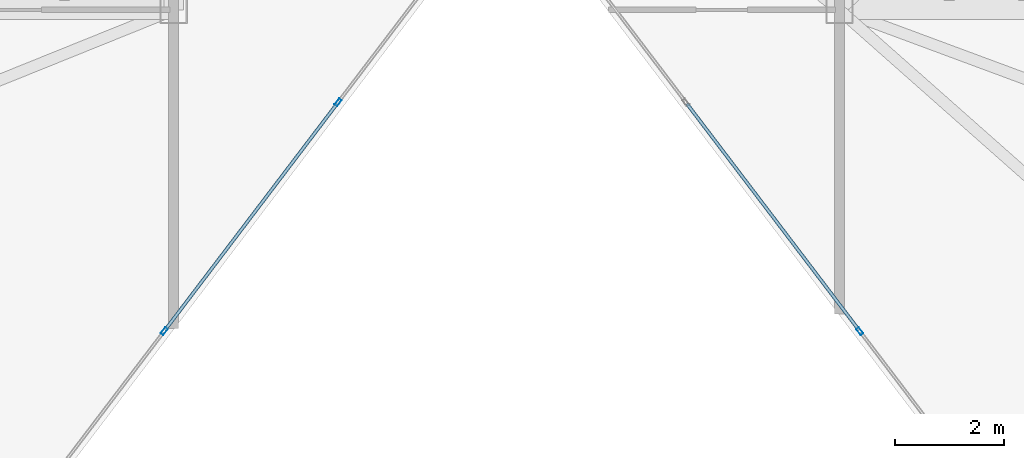
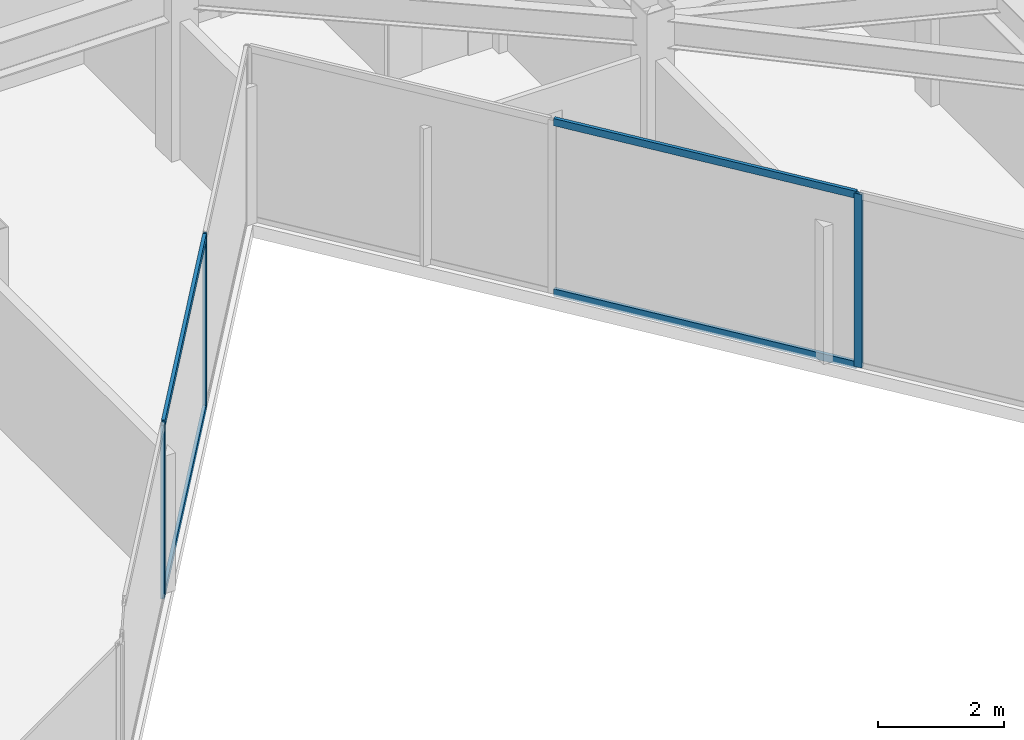
# One storey, part 7 of 20: 7 members, 2 elements without a shape of their own.
"""IFC4 building model written with IfcOpenShell, lengths in metres."""

from ifc_helpers import new_model, si_unit, direction, frame, origin, origin_2d, place, context, subcontext, project, spatial, hollow_rectangle, extrude, material, layer, layer_set, material_profile, profile_set, type_object, element, aggregate, save


model = new_model("IFC4")

# Units and contexts
model_context = context("Model", 3, precision=1e-05, world=origin(), true_north=direction((0.0, 1.0)))
body_context = subcontext(model_context, "Body", "Model", "MODEL_VIEW")
ifc_project = project(units=[si_unit("LENGTHUNIT", "METRE"), si_unit("AREAUNIT", "SQUARE_METRE"), si_unit("VOLUMEUNIT", "CUBIC_METRE"), si_unit("PLANEANGLEUNIT", "RADIAN"), si_unit("MASSUNIT", "GRAM", prefix="KILO")], contexts=[model_context])

# Site, building, storey
site_placement = place(None, origin())
site = spatial("IfcSite", under=ifc_project, at=site_placement, CompositionType="ELEMENT")
building_placement = place(site_placement, origin())
building = spatial("IfcBuilding", under=site, at=building_placement, Name="Kravanh Interchange Tower", CompositionType="ELEMENT")
storey_placement = place(building_placement, frame((0.0, 0.0, 238.199951171875)))
storey = spatial("IfcBuildingStorey", under=building, at=storey_placement, Name="L57", CompositionType="ELEMENT", Elevation=238.199951171875)

# Curtain wall, member
ifc_material_1 = material(Name="Anodised Bronze Aluminium", Category="aluminium")
ifc_layer = layer(ifc_material_1, 0.179931640625)
ifc_layer_set = layer_set([ifc_layer], Name="Unitised Curtain Wall System CW-HTL Luxury Hotel")
curtain_wall_type = type_object("IfcCurtainWallType", Name="Unitised Curtain Wall System CW-HTL Luxury Hotel", PredefinedType="NOTDEFINED", material=ifc_layer_set)
curtain_wall_1_placement = place(storey_placement, origin())
curtain_wall_1 = element("IfcCurtainWall", 1, at=curtain_wall_1_placement, inside=storey, type_object=curtain_wall_type, Name="L57 Unitised Curtain Wall CW-L57-04", PredefinedType="NOTDEFINED")
ifc_material_2 = material(Name="Anodised Bronze Aluminium", Category="aluminium")
ifc_material_profile_1 = material_profile(ifc_material_2, hollow_rectangle(XDim=0.06005859375, YDim=0.139892578125, WallThickness=0.00390625, at=origin_2d()), Name="ALU60X140X4")
ifc_profile_set_1 = profile_set([ifc_material_profile_1], Name="Anodised Bronze Aluminium")
member_type_1 = type_object("IfcMemberType", Name="Curtain Wall Mullion ALU60X140X4 Bronze", PredefinedType="MULLION", material=ifc_profile_set_1)
member_1_placement = place(storey_placement, frame((51.173095703125, 20.912841796875, 0.0), z_axis=(0.0, 0.0, 1.0), x_axis=(-0.79616243806, -0.605082946564, 0.0)))
member_1 = element("IfcMember", 2, at=member_1_placement, type_object=member_type_1, Name="CW-HTL mullion 2", PredefinedType="MULLION", context=body_context, shape_type="SweptSolid", body=[
    extrude(hollow_rectangle(XDim=0.06005859375, YDim=0.139892578125, WallThickness=0.00390625, at=origin_2d()), origin(), (0.0, 0.0, 1.0), 3.360107421875),
])

# Curtain wall, members
curtain_wall_2_placement = place(storey_placement, origin())
curtain_wall_2 = element("IfcCurtainWall", 3, at=curtain_wall_2_placement, inside=storey, type_object=curtain_wall_type, Name="L57 Unitised Curtain Wall CW-L57-05", PredefinedType="NOTDEFINED")
member_2_placement = place(storey_placement, frame((41.613525390625, 25.10546875, 0.0), z_axis=(0.0, 0.0, 1.0), x_axis=(0.79616243806, -0.605082946564, 0.0)))
member_2 = element("IfcMember", 4, at=member_2_placement, type_object=member_type_1, Name="CW-HTL mullion 2", PredefinedType="MULLION", context=body_context, shape_type="SweptSolid", body=[
    extrude(hollow_rectangle(XDim=0.06005859375, YDim=0.139892578125, WallThickness=0.00390625, at=origin_2d()), origin(), (0.0, 0.0, 1.0), 3.360107421875),
])
member_3_placement = place(storey_placement, frame((38.427001953125, 20.912841796875, 0.0), z_axis=(0.0, 0.0, 1.0), x_axis=(0.79616243806, -0.605082946564, 0.0)))
member_3 = element("IfcMember", 5, at=member_3_placement, type_object=member_type_1, Name="CW-HTL mullion 3", PredefinedType="MULLION", context=body_context, shape_type="SweptSolid", body=[
    extrude(hollow_rectangle(XDim=0.06005859375, YDim=0.139892578125, WallThickness=0.00390625, at=origin_2d()), origin(), (0.0, 0.0, 1.0), 3.360107421875),
])

# Member
ifc_material_3 = material(Name="Anodised Bronze Aluminium", Category="aluminium")
ifc_material_profile_2 = material_profile(ifc_material_3, hollow_rectangle(XDim=0.06005859375, YDim=0.139892578125, WallThickness=0.00390625, at=origin_2d()), Name="ALU60X140X4")
ifc_profile_set_2 = profile_set([ifc_material_profile_2], Name="Anodised Bronze Aluminium")
member_type_2 = type_object("IfcMemberType", Name="Curtain Wall Transom ALU60X140X4 Bronze", PredefinedType="USERDEFINED", material=ifc_profile_set_2)
member_4_placement = place(storey_placement, frame((51.15478515625, 20.936767578125, 0.030029296875), z_axis=(-0.60509753596, 0.796151349918, 0.0), x_axis=(-0.796151349918, -0.60509753596, 0.0)))
member_4 = element("IfcMember", 6, at=member_4_placement, type_object=member_type_2, Name="CW-HTL transom 2.1", ObjectType="TRANSOM", PredefinedType="USERDEFINED", context=body_context, shape_type="SweptSolid", body=[
    extrude(hollow_rectangle(XDim=0.06005859375, YDim=0.139892578125, WallThickness=0.00390625, at=origin_2d()), origin(), (0.0, 0.0, 1.0), 5.2060546875),
])

member_5_placement = place(storey_placement, frame((51.15478515625, 20.936767578125, 3.330078125), z_axis=(-0.60509753596, 0.796151349918, 0.0), x_axis=(-0.796151349918, -0.60509753596, 0.0)))
member_5 = element("IfcMember", 7, at=member_5_placement, type_object=member_type_2, Name="CW-HTL transom 2.2", ObjectType="TRANSOM", PredefinedType="USERDEFINED", context=body_context, shape_type="SweptSolid", body=[
    extrude(hollow_rectangle(XDim=0.06005859375, YDim=0.139892578125, WallThickness=0.00390625, at=origin_2d()), origin(), (0.0, 0.0, 1.0), 5.2060546875),
])

aggregate(curtain_wall_1, [member_1, member_4, member_5])

member_6_placement = place(storey_placement, frame((41.595458984375, 25.08154296875, 0.030029296875), z_axis=(-0.605127259975, -0.79612875795, 0.0), x_axis=(0.79612875795, -0.605127259975, 0.0)))
member_6 = element("IfcMember", 8, at=member_6_placement, type_object=member_type_2, Name="CW-HTL transom 2.1", ObjectType="TRANSOM", PredefinedType="USERDEFINED", context=body_context, shape_type="SweptSolid", body=[
    extrude(hollow_rectangle(XDim=0.06005859375, YDim=0.139892578125, WallThickness=0.00390625, at=origin_2d()), origin(), (0.0, 0.0, 1.0), 5.2060546875),
])

member_7_placement = place(storey_placement, frame((41.595458984375, 25.08154296875, 3.330078125), z_axis=(-0.605127259975, -0.79612875795, 0.0), x_axis=(0.79612875795, -0.605127259975, 0.0)))
member_7 = element("IfcMember", 9, at=member_7_placement, type_object=member_type_2, Name="CW-HTL transom 2.2", ObjectType="TRANSOM", PredefinedType="USERDEFINED", context=body_context, shape_type="SweptSolid", body=[
    extrude(hollow_rectangle(XDim=0.06005859375, YDim=0.139892578125, WallThickness=0.00390625, at=origin_2d()), origin(), (0.0, 0.0, 1.0), 5.2060546875),
])

aggregate(curtain_wall_2, [member_2, member_3, member_6, member_7])

save(model, "model.ifc")
